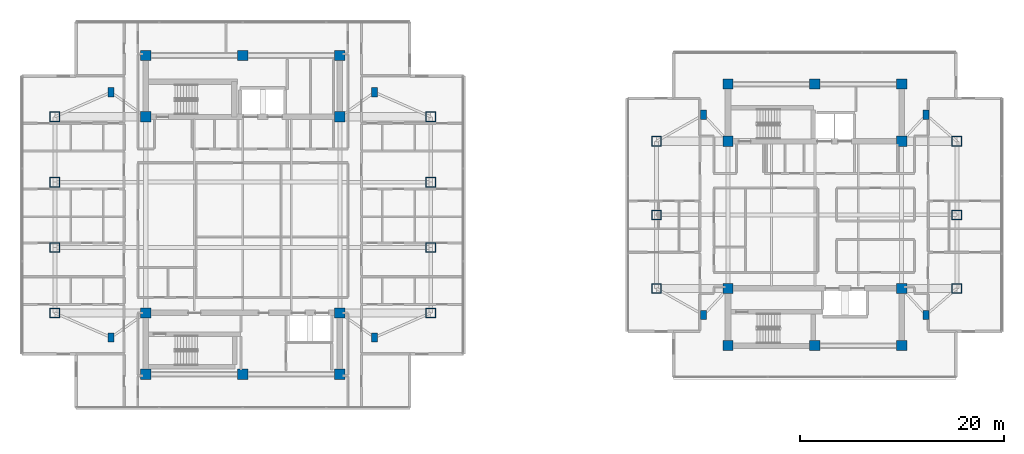
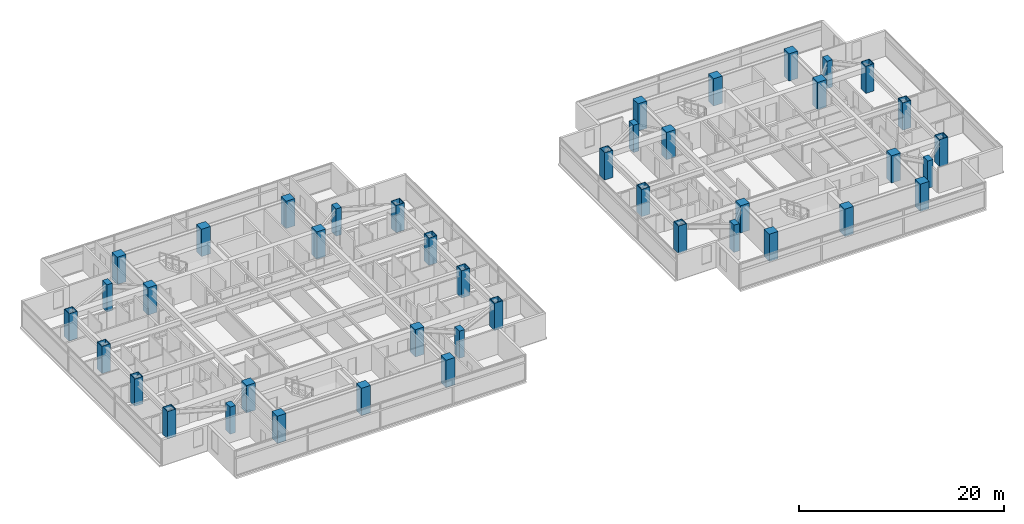
# One storey, part 1 of 25: 42 columns.
"""IFC4 building model written with IfcOpenShell, lengths in metres."""

import ifcopenshell
import ifcopenshell.guid

model = None  # the IFC model being written
_history = None  # IfcOwnerHistory: only IFC2X3 demands one
_inside = {}  # id of a spatial element -> (the spatial element, [elements in it])
_under = {}  # id of a project, library or spatial element -> (it, [spatial elements below it])
_declared = {}  # id of a project -> (the project, [libraries it declares])
_typed = {}  # id of a type object -> (the type object, [elements of that type])
_made_of = {}  # id of a material, layer set ... -> (it, [elements and type objects made of it])


def new_model(schema):
    """Start an empty IFC model of exactly this schema.

    Asked for "IFC4X3", IfcOpenShell would pick the latest addendum, in which some entities
    have other attributes; the version numbers below select the first issue.
    IFC2X3 requires an IfcOwnerHistory on every rooted entity: one is made here for all.
    """
    global model, _history
    if schema == "IFC4X3":
        model = ifcopenshell.file(schema_version=(4, 3, 0, 0))
    else:
        model = ifcopenshell.file(schema=schema)
    _inside.clear()
    _under.clear()
    _declared.clear()
    _typed.clear()
    _made_of.clear()
    _history = None
    if model.schema == "IFC2X3":
        org = make("IfcOrganization", Name="unknown")
        user = make(
            "IfcPersonAndOrganization",
            ThePerson=make("IfcPerson", FamilyName="unknown"),
            TheOrganization=org,
        )
        app = make(
            "IfcApplication",
            ApplicationDeveloper=org,
            Version="unknown",
            ApplicationFullName="unknown",
            ApplicationIdentifier="unknown",
        )
        _history = make(
            "IfcOwnerHistory",
            OwningUser=user,
            OwningApplication=app,
            ChangeAction="ADDED",
            CreationDate=0,
        )
    return model


def make(cls, **values):
    """One entity of the class cls with the attributes given. An attribute that is None is left unset."""
    return model.create_entity(
        cls, **{name: value for name, value in values.items() if value is not None}
    )


def rooted(cls, **values):
    """An entity with a GlobalId (a new one), such as an element, a storey or a relation."""
    return make(cls, GlobalId=ifcopenshell.guid.new(), OwnerHistory=_history, **values)


def si_unit(unit_type, name, prefix=None):
    """IfcSIUnit, for example si_unit("LENGTHUNIT", "METRE", prefix="MILLI")."""
    return make("IfcSIUnit", UnitType=unit_type, Prefix=prefix, Name=name)


def assignment(units):
    """IfcUnitAssignment: the units of a project."""
    return None if units is None else make("IfcUnitAssignment", Units=units)


def point(xyz):
    """IfcCartesianPoint."""
    return None if xyz is None else make("IfcCartesianPoint", Coordinates=xyz)


def direction(xyz):
    """IfcDirection."""
    return None if xyz is None else make("IfcDirection", DirectionRatios=xyz)


def frame(location, z_axis=None, x_axis=None):
    """IfcAxis2Placement3D, a coordinate frame: its origin and axes. An axis left out is left unset."""
    return make(
        "IfcAxis2Placement3D",
        Location=point(location),
        Axis=direction(z_axis),
        RefDirection=direction(x_axis),
    )


def frame_2d(location, x_axis=None):
    """IfcAxis2Placement2D, a coordinate frame in the plane: its origin and x axis."""
    return make(
        "IfcAxis2Placement2D", Location=point(location), RefDirection=direction(x_axis)
    )


def origin():
    """The frame at (0, 0, 0) with its axes left unset."""
    return frame((0.0, 0.0, 0.0))


def origin_2d():
    """The frame at (0, 0) in the plane with its x axis left unset."""
    return frame_2d((0.0, 0.0))


def place(relative_to, where):
    """IfcLocalPlacement: puts the frame where relative to a parent placement (None: the world)."""
    return make(
        "IfcLocalPlacement", PlacementRelTo=relative_to, RelativePlacement=where
    )


def context(
    kind, dimensions, precision=None, world=None, true_north=None, identifier=None
):
    """IfcGeometricRepresentationContext, for example the 3D "Model" context."""
    return make(
        "IfcGeometricRepresentationContext",
        ContextIdentifier=identifier,
        ContextType=kind,
        CoordinateSpaceDimension=dimensions,
        Precision=precision,
        WorldCoordinateSystem=world,
        TrueNorth=true_north,
    )


def subcontext(parent, identifier, kind, view, scale=None):
    """IfcGeometricRepresentationSubContext, for example "Body" below "Model"."""
    return make(
        "IfcGeometricRepresentationSubContext",
        ContextIdentifier=identifier,
        ContextType=kind,
        ParentContext=parent,
        TargetScale=scale,
        TargetView=view,
    )


def project(units=None, contexts=None):
    """IfcProject with its units and contexts."""
    return rooted(
        "IfcProject",
        Name="project",
        RepresentationContexts=contexts,
        UnitsInContext=assignment(units),
    )


def spatial(cls, under=None, at=None, **own):
    """A site, building, storey or space (cls), placed at a placement, below another one or the project."""
    s = rooted(cls, ObjectPlacement=at, **own)
    if under is not None:
        _under.setdefault(under.id(), (under, []))[1].append(s)
    return s


def profile(cls, at=None, kind="AREA", **sizes):
    """A parametric profile (cls). Its sizes go by their IFC names, for example OverallWidth=200.0."""
    return make(cls, ProfileType=kind, Position=at, **sizes)


def rectangle(**sizes):
    """IfcRectangleProfileDef."""
    return profile("IfcRectangleProfileDef", **sizes)


def hollow_rectangle(**sizes):
    """IfcRectangleHollowProfileDef."""
    return profile("IfcRectangleHollowProfileDef", **sizes)


def extrude(swept, where, along, depth):
    """IfcExtrudedAreaSolid: the profile swept, set in the frame where, extruded along a direction by depth."""
    return make(
        "IfcExtrudedAreaSolid",
        SweptArea=swept,
        Position=where,
        ExtrudedDirection=direction(along),
        Depth=depth,
    )


def shape(context_of_items, identifier, shape_type, items):
    """IfcShapeRepresentation: the items that make up one representation, for example the "Body"."""
    return make(
        "IfcShapeRepresentation",
        ContextOfItems=context_of_items,
        RepresentationIdentifier=identifier,
        RepresentationType=shape_type,
        Items=items,
    )


def material(Name=None, Category=None):
    """IfcMaterial."""
    return make("IfcMaterial", Name=Name, Category=Category)


def material_profile(
    of_material, cross_section, Name=None, Category=None, Priority=None
):
    """IfcMaterialProfile: a cross section and its material."""
    return make(
        "IfcMaterialProfile",
        Name=Name,
        Material=of_material,
        Profile=cross_section,
        Priority=Priority,
        Category=Category,
    )


def profile_set(profiles, Name=None, composite=None):
    """IfcMaterialProfileSet."""
    return make(
        "IfcMaterialProfileSet",
        Name=Name,
        MaterialProfiles=profiles,
        CompositeProfile=composite,
    )


def made_of(thing, what):
    """Note that an element or type object is made of a material, layer set ...; save() writes the relation."""
    if what is not None:
        _made_of.setdefault(what.id(), (what, []))[1].append(thing)
    return thing


def type_object(cls, material=None, **own):
    """A type object (cls), such as IfcWallType, which elements share."""
    return made_of(rooted(cls, **own), material)


def element(
    cls,
    number,
    at=None,
    inside=None,
    cuts=None,
    type_object=None,
    material=None,
    context=None,
    identifier="Body",
    shape_type=None,
    held_by="IfcProductDefinitionShape",
    body=None,
    shapes=None,
    **own,
):
    """One element of the class cls, such as IfcWall. Its Tag is "e" and its number.

    at: its placement. inside: the storey or other place that contains it. cuts: it is an
    opening in that element (IfcRelVoidsElement). A single representation is given by context,
    identifier, shape_type and body (its items); several are given by shapes. held_by: the class
    of the entity that holds the representations. save() writes the other relations.
    """
    e = rooted(cls, Tag="e%d" % number, ObjectPlacement=at, **own)
    if body is not None:
        shapes = [shape(context, identifier, shape_type, body)]
    if shapes is not None:
        e.Representation = make(held_by, Representations=shapes)
    if inside is not None:
        _inside.setdefault(inside.id(), (inside, []))[1].append(e)
    if cuts is not None:
        rooted(
            "IfcRelVoidsElement", RelatingBuildingElement=cuts, RelatedOpeningElement=e
        )
    if type_object is not None:
        _typed.setdefault(type_object.id(), (type_object, []))[1].append(e)
    return made_of(e, material)


def aggregate(whole, parts):
    """IfcRelAggregates: a whole, such as a stair, and the parts it consists of."""
    return rooted("IfcRelAggregates", RelatingObject=whole, RelatedObjects=parts)


def save(model, path):
    """Write the relations noted so far, then the file.

    IfcRelAggregates (storeys below a building ...), IfcRelContainedInSpatialStructure (elements
    in a storey), IfcRelDefinesByType, IfcRelAssociatesMaterial and IfcRelDeclares: one each for
    every whole, place, type object, material and project.
    """
    for whole, parts in _under.values():
        aggregate(whole, parts)
    for where, things in _inside.values():
        rooted(
            "IfcRelContainedInSpatialStructure",
            RelatedElements=things,
            RelatingStructure=where,
        )
    for kind, things in _typed.values():
        rooted("IfcRelDefinesByType", RelatedObjects=things, RelatingType=kind)
    for what, things in _made_of.values():
        rooted("IfcRelAssociatesMaterial", RelatedObjects=things, RelatingMaterial=what)
    for by, libraries in _declared.values():
        rooted("IfcRelDeclares", RelatingContext=by, RelatedDefinitions=libraries)
    model.write(path)


model = new_model("IFC4")

# Units and contexts
model_context = context("Model", 3, precision=1e-05, world=origin(), true_north=direction((0.0, 1.0)))
body_context = subcontext(model_context, "Body", "Model", "MODEL_VIEW")
ifc_project = project(units=[si_unit("LENGTHUNIT", "METRE"), si_unit("AREAUNIT", "SQUARE_METRE"), si_unit("VOLUMEUNIT", "CUBIC_METRE"), si_unit("PLANEANGLEUNIT", "RADIAN"), si_unit("MASSUNIT", "GRAM", prefix="KILO")], contexts=[model_context])

# Site, building, storey
site_placement = place(None, origin())
site = spatial("IfcSite", under=ifc_project, at=site_placement, CompositionType="ELEMENT")
building_placement = place(site_placement, origin())
building = spatial("IfcBuilding", under=site, at=building_placement, Name="Mirazonda Arch Towers", CompositionType="ELEMENT")
storey_placement = place(building_placement, frame((0.0, 0.0, 177.14990234375)))
storey = spatial("IfcBuildingStorey", under=building, at=storey_placement, Name="L50", CompositionType="ELEMENT", Elevation=177.14990234375)

# Columns
ifc_material_1 = material(Name="Concrete C50/60", Category="concrete")
ifc_material_profile_1 = material_profile(ifc_material_1, rectangle(XDim=1.0, YDim=1.0, at=origin_2d()), Name="RC1000x1000")
ifc_profile_set_1 = profile_set([ifc_material_profile_1], Name="Concrete C50/60")
column_type_1 = type_object("IfcColumnType", Name="COL-INT-RC1000x1000", PredefinedType="COLUMN", material=ifc_profile_set_1)
for number, where, z_axis, x_axis, name in (
    (1, (11.0, 12.39990234375, 0.0), (0.0, 0.0, 1.0), (1.0, 0.0, 0.0), "L50 T1 Core Column 01"),
    (2, (20.5, 12.39990234375, 0.0), (0.0, 0.0, 1.0), (1.0, 0.0, 0.0), "L50 T1 Core Column 02"),
    (3, (30.0, 12.39990234375, 0.0), (0.0, 0.0, 1.0), (1.0, 0.0, 0.0), "L50 T1 Core Column 03"),
    (4, (11.0, 18.39990234375, 0.0), (0.0, 0.0, 1.0), (1.0, 0.0, 0.0), "L50 T1 Core Column 04"),
    (5, (30.0, 18.39990234375, 0.0), (0.0, 0.0, 1.0), (1.0, 0.0, 0.0), "L50 T1 Core Column 05"),
    (6, (11.0, 37.60009765625, 0.0), (0.0, 0.0, 1.0), (1.0, 0.0, 0.0), "L50 T1 Core Column 06"),
    (7, (30.0, 37.60009765625, 0.0), (0.0, 0.0, 1.0), (1.0, 0.0, 0.0), "L50 T1 Core Column 07"),
    (8, (11.0, 43.60009765625, 0.0), (0.0, 0.0, 1.0), (1.0, 0.0, 0.0), "L50 T1 Core Column 08"),
    (9, (20.5, 43.60009765625, 0.0), (0.0, 0.0, 1.0), (1.0, 0.0, 0.0), "L50 T1 Core Column 09"),
    (10, (30.0, 43.60009765625, 0.0), (0.0, 0.0, 1.0), (1.0, 0.0, 0.0), "L50 T1 Core Column 10"),
    (11, (68.0, 15.199951171875, 0.0), (0.0, 0.0, 1.0), (1.0, 0.0, 0.0), "L50 T2 Core Column 01"),
    (12, (76.5, 15.199951171875, 0.0), (0.0, 0.0, 1.0), (1.0, 0.0, 0.0), "L50 T2 Core Column 02"),
    (13, (85.0, 15.199951171875, 0.0), (0.0, 0.0, 1.0), (1.0, 0.0, 0.0), "L50 T2 Core Column 03"),
    (14, (68.0, 20.800048828125, 0.0), (0.0, 0.0, 1.0), (1.0, 0.0, 0.0), "L50 T2 Core Column 04"),
    (15, (85.0, 20.800048828125, 0.0), (0.0, 0.0, 1.0), (1.0, 0.0, 0.0), "L50 T2 Core Column 05"),
    (16, (68.0, 35.199951171875, 0.0), (0.0, 0.0, 1.0), (1.0, 0.0, 0.0), "L50 T2 Core Column 06"),
    (17, (85.0, 35.199951171875, 0.0), (0.0, 0.0, 1.0), (1.0, 0.0, 0.0), "L50 T2 Core Column 07"),
    (18, (68.0, 40.800048828125, 0.0), (0.0, 0.0, 1.0), (1.0, 0.0, 0.0), "L50 T2 Core Column 08"),
    (19, (76.5, 40.800048828125, 0.0), (0.0, 0.0, 1.0), (1.0, 0.0, 0.0), "L50 T2 Core Column 09"),
    (20, (85.0, 40.800048828125, 0.0), (0.0, 0.0, 1.0), (1.0, 0.0, 0.0), "L50 T2 Core Column 10"),
):
    element("IfcColumn", number, at=place(storey_placement, frame(where, z_axis=z_axis, x_axis=x_axis)), inside=storey, type_object=column_type_1, Name=name, PredefinedType="COLUMN", context=body_context, shape_type="SweptSolid", body=[
        extrude(rectangle(XDim=1.0, YDim=1.0, at=origin_2d()), origin(), (0.0, 0.0, 1.0), 3.25),
    ])
ifc_material_2 = material(Name="Steel ASTM A572 Grade 50", Category="steel")
ifc_material_profile_2 = material_profile(ifc_material_2, hollow_rectangle(XDim=0.949951171875, YDim=0.949951171875, WallThickness=0.050048828125, at=origin_2d()), Name="BOX950x950x50")
ifc_profile_set_2 = profile_set([ifc_material_profile_2], Name="Steel ASTM A572 Grade 50")
column_type_2 = type_object("IfcColumnType", Name="MCOL-EXT-BOX950x950x50", PredefinedType="COLUMN", material=ifc_profile_set_2)
for number, where, z_axis, x_axis, name in (
    (21, (2.10009765625, 18.39990234375, 0.0), (0.0, 0.0, 1.0), (1.0, 0.0, 0.0), "L50 T1 Composite Mega-Column 01"),
    (22, (2.10009765625, 24.800048828125, 0.0), (0.0, 0.0, 1.0), (1.0, 0.0, 0.0), "L50 T1 Composite Mega-Column 02"),
    (23, (2.10009765625, 31.199951171875, 0.0), (0.0, 0.0, 1.0), (1.0, 0.0, 0.0), "L50 T1 Composite Mega-Column 03"),
    (24, (2.10009765625, 37.60009765625, 0.0), (0.0, 0.0, 1.0), (1.0, 0.0, 0.0), "L50 T1 Composite Mega-Column 04"),
    (25, (38.89990234375, 18.39990234375, 0.0), (0.0, 0.0, 1.0), (1.0, 0.0, 0.0), "L50 T1 Composite Mega-Column 05"),
    (26, (38.89990234375, 24.800048828125, 0.0), (0.0, 0.0, 1.0), (1.0, 0.0, 0.0), "L50 T1 Composite Mega-Column 06"),
    (27, (38.89990234375, 31.199951171875, 0.0), (0.0, 0.0, 1.0), (1.0, 0.0, 0.0), "L50 T1 Composite Mega-Column 07"),
    (28, (38.89990234375, 37.60009765625, 0.0), (0.0, 0.0, 1.0), (1.0, 0.0, 0.0), "L50 T1 Composite Mega-Column 08"),
    (29, (61.0, 20.800048828125, 0.0), (0.0, 0.0, 1.0), (1.0, 0.0, 0.0), "L50 T2 Composite Mega-Column 01"),
    (30, (61.0, 28.0, 0.0), (0.0, 0.0, 1.0), (1.0, 0.0, 0.0), "L50 T2 Composite Mega-Column 02"),
    (31, (61.0, 35.199951171875, 0.0), (0.0, 0.0, 1.0), (1.0, 0.0, 0.0), "L50 T2 Composite Mega-Column 03"),
    (32, (90.39990234375, 20.800048828125, 0.0), (0.0, 0.0, 1.0), (1.0, 0.0, 0.0), "L50 T2 Composite Mega-Column 04"),
    (33, (90.39990234375, 28.0, 0.0), (0.0, 0.0, 1.0), (1.0, 0.0, 0.0), "L50 T2 Composite Mega-Column 05"),
    (34, (90.39990234375, 35.199951171875, 0.0), (0.0, 0.0, 1.0), (1.0, 0.0, 0.0), "L50 T2 Composite Mega-Column 06"),
):
    element("IfcColumn", number, at=place(storey_placement, frame(where, z_axis=z_axis, x_axis=x_axis)), inside=storey, type_object=column_type_2, Name=name, PredefinedType="COLUMN", context=body_context, shape_type="SweptSolid", body=[
        extrude(hollow_rectangle(XDim=0.949951171875, YDim=0.949951171875, WallThickness=0.050048828125, at=origin_2d()), origin(), (0.0, 0.0, 1.0), 3.25),
    ])
ifc_material_profile_3 = material_profile(ifc_material_1, rectangle(XDim=0.60009765625, YDim=0.89990234375, at=origin_2d()), Name="RC900x600")
ifc_profile_set_3 = profile_set([ifc_material_profile_3], Name="Concrete C50/60")
column_type_3 = type_object("IfcColumnType", Name="PIL-EXT-RC900x600", PredefinedType="PILASTER", material=ifc_profile_set_3)
for number, where, z_axis, x_axis, name in (
    (35, (7.60009765625, 16.0, 0.0), (0.0, 0.0, 1.0), (1.0, 0.0, 0.0), "L50 T1 Corner Pilaster 01"),
    (36, (33.39990234375, 16.0, 0.0), (0.0, 0.0, 1.0), (1.0, 0.0, 0.0), "L50 T1 Corner Pilaster 02"),
    (37, (7.60009765625, 40.0, 0.0), (0.0, 0.0, 1.0), (1.0, 0.0, 0.0), "L50 T1 Corner Pilaster 03"),
    (38, (33.39990234375, 40.0, 0.0), (0.0, 0.0, 1.0), (1.0, 0.0, 0.0), "L50 T1 Corner Pilaster 04"),
    (39, (65.60009765625, 18.199951171875, 0.0), (0.0, 0.0, 1.0), (1.0, 0.0, 0.0), "L50 T2 Corner Pilaster 01"),
    (40, (87.39990234375, 18.199951171875, 0.0), (0.0, 0.0, 1.0), (1.0, 0.0, 0.0), "L50 T2 Corner Pilaster 02"),
    (41, (65.60009765625, 37.800048828125, 0.0), (0.0, 0.0, 1.0), (1.0, 0.0, 0.0), "L50 T2 Corner Pilaster 03"),
    (42, (87.39990234375, 37.800048828125, 0.0), (0.0, 0.0, 1.0), (1.0, 0.0, 0.0), "L50 T2 Corner Pilaster 04"),
):
    element("IfcColumn", number, at=place(storey_placement, frame(where, z_axis=z_axis, x_axis=x_axis)), inside=storey, type_object=column_type_3, Name=name, PredefinedType="PILASTER", context=body_context, shape_type="SweptSolid", body=[
        extrude(rectangle(XDim=0.60009765625, YDim=0.89990234375, at=origin_2d()), origin(), (0.0, 0.0, 1.0), 3.25),
    ])

save(model, "model.ifc")
